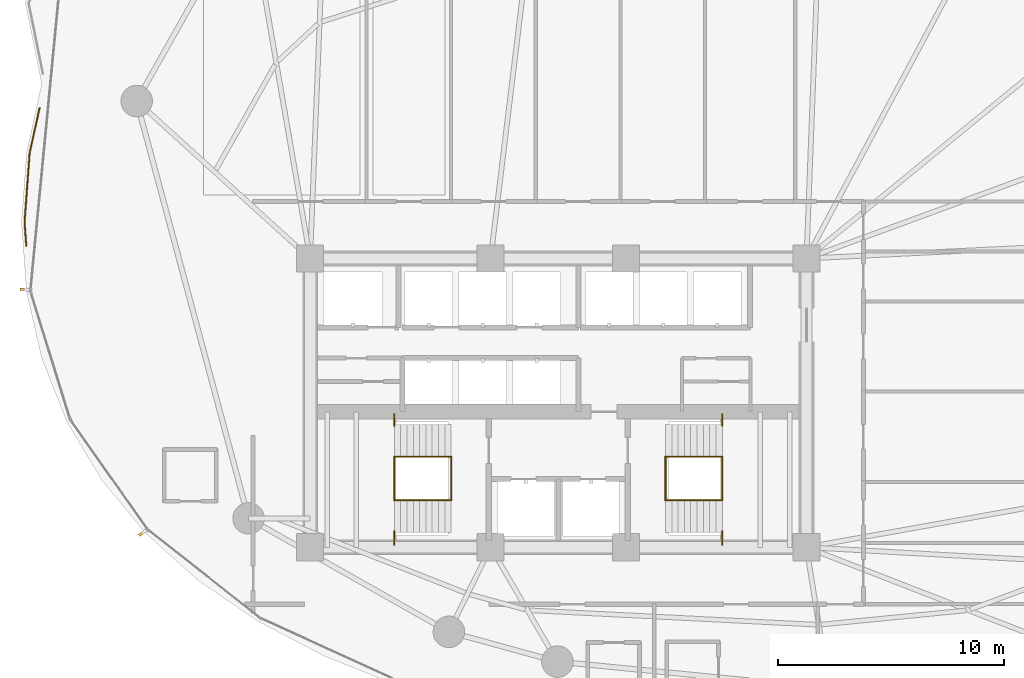
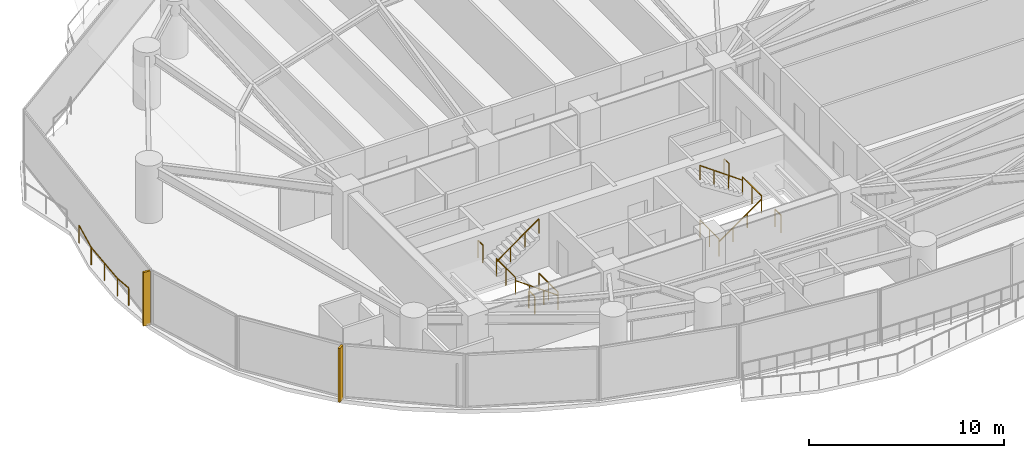
# One storey, part 30 of 32: 13 railings, 2 shading devices.
"""IFC4 building model written with IfcOpenShell, lengths in metres."""

from ifc_helpers import new_model, si_unit, direction, frame, origin, origin_2d, place, context, subcontext, project, spatial, rectangle, extrude, material, type_object, element, save


model = new_model("IFC4")

# Units and contexts
model_context = context("Model", 3, precision=1e-05, world=origin(), true_north=direction((0.0, 1.0)))
body_context = subcontext(model_context, "Body", "Model", "MODEL_VIEW")
ifc_project = project(units=[si_unit("LENGTHUNIT", "METRE"), si_unit("AREAUNIT", "SQUARE_METRE"), si_unit("VOLUMEUNIT", "CUBIC_METRE"), si_unit("PLANEANGLEUNIT", "RADIAN"), si_unit("MASSUNIT", "GRAM", prefix="KILO")], contexts=[model_context])

# Site, building, storey
site_placement = place(None, origin())
site = spatial("IfcSite", under=ifc_project, at=site_placement, CompositionType="ELEMENT")
building_placement = place(site_placement, origin())
building = spatial("IfcBuilding", under=site, at=building_placement, Name="Kazevale Care Tower and Concert Hall", CompositionType="ELEMENT")
storey_placement = place(building_placement, frame((0.0, 0.0, 42.0)))
storey = spatial("IfcBuildingStorey", under=building, at=storey_placement, Name="L10", CompositionType="ELEMENT", Elevation=42.0)

# Railings
ifc_material_1 = material(Name="Anodised Bronze Aluminium and Laminated Glass", Category="aluminium")
railing_type_1 = type_object("IfcRailingType", Name="Balcony and Terrace Balustrade 1120", PredefinedType="BALUSTRADE", material=ifc_material_1)
railing_1_placement = place(storey_placement, frame((9.416015625, 36.968017578125, 0.0)))
element("IfcRailing", 1, at=railing_1_placement, inside=storey, type_object=railing_type_1, Name="rail:L10:perim:1", PredefinedType="BALUSTRADE", context=body_context, shape_type="SweptSolid", body=[
    extrude(rectangle(XDim=0.048095703125, YDim=0.048095703125, at=origin_2d()), frame((0.0, 0.0, 1.09619140625), z_axis=(-0.073376305948, 0.997304325532, 0.0), x_axis=(-0.997304325532, -0.073376305948, 0.0)), (0.0, 0.0, 1.0), 1.03466796875),
    extrude(rectangle(XDim=0.048095703125, YDim=0.048095703125, at=origin_2d()), frame((-0.075927734375, 1.031982421875, 1.09619140625), z_axis=(0.072729345696, 0.997351714429, 0.0), x_axis=(-0.997351714429, 0.072729345696, 0.0)), (0.0, 0.0, 1.0), 3.078125),
    extrude(rectangle(XDim=0.048095703125, YDim=0.048095703125, at=origin_2d()), frame((0.14794921875, 4.10205078125, 1.09619140625), z_axis=(0.215389585979, 0.976528200439, 0.0), x_axis=(-0.976528200439, 0.215389585979, 0.0)), (0.0, 0.0, 1.0), 2.047119140625),
    extrude(rectangle(XDim=0.0419921875, YDim=0.0419921875, at=origin_2d()), origin(), (0.0, 0.0, 1.0), 1.072021484375),
    extrude(rectangle(XDim=0.0419921875, YDim=0.0419921875, at=origin_2d()), frame((-0.075927734375, 1.031982421875, 0.0)), (0.0, 0.0, 1.0), 1.072021484375),
    extrude(rectangle(XDim=0.0419921875, YDim=0.0419921875, at=origin_2d()), frame((0.0361328125, 2.56689453125, 0.0)), (0.0, 0.0, 1.0), 1.072021484375),
    extrude(rectangle(XDim=0.0419921875, YDim=0.0419921875, at=origin_2d()), frame((0.14794921875, 4.10205078125, 0.0)), (0.0, 0.0, 1.0), 1.072021484375),
    extrude(rectangle(XDim=0.0419921875, YDim=0.0419921875, at=origin_2d()), frame((0.5888671875, 6.10107421875, 0.0)), (0.0, 0.0, 1.0), 1.072021484375),
])
ifc_material_2 = material(Name="Stainless Steel 316", Category="steel")
railing_type_2 = type_object("IfcRailingType", Name="Stair Pitch Handrail 920", PredefinedType="HANDRAIL", material=ifc_material_2)
railing_2_placement = place(storey_placement, frame((28.25, 25.679931640625, 0.0)))
element("IfcRailing", 2, at=railing_2_placement, inside=storey, type_object=railing_type_2, Name="stair:L10:ST1:hr1", PredefinedType="HANDRAIL", context=body_context, shape_type="SweptSolid", body=[
    extrude(rectangle(XDim=0.048095703125, YDim=0.048095703125, at=origin_2d()), frame((0.0, 0.0, 0.89599609375), z_axis=(-0.813728144527, 0.0, 0.581245650998), x_axis=(0.0, -1.0, 0.0)), (0.0, 0.0, 1.0), 3.096923828125),
    extrude(rectangle(XDim=0.0419921875, YDim=0.0419921875, at=origin_2d()), origin(), (0.0, 0.0, 1.0), 0.871826171875),
    extrude(rectangle(XDim=0.0419921875, YDim=0.0419921875, at=origin_2d()), frame((-0.840087890625, 0.0, 0.60009765625)), (0.0, 0.0, 1.0), 0.871826171875),
    extrude(rectangle(XDim=0.0419921875, YDim=0.0419921875, at=origin_2d()), frame((-1.679931640625, 0.0, 1.199951171875)), (0.0, 0.0, 1.0), 0.871826171875),
    extrude(rectangle(XDim=0.0419921875, YDim=0.0419921875, at=origin_2d()), frame((-2.52001953125, 0.0, 1.800048828125)), (0.0, 0.0, 1.0), 0.871826171875),
])
for number, where, name in (
    (3, (25.72998046875, 27.6201171875, 1.800048828125), "stair:L10:ST1:hr2"),
    (4, (37.75, 25.679931640625, 0.0), "stair:L10:ST2:hr1"),
):
    element("IfcRailing", number, at=place(storey_placement, frame(where)), inside=storey, type_object=railing_type_2, Name=name, PredefinedType="HANDRAIL", context=body_context, shape_type="SweptSolid", body=[
        extrude(rectangle(XDim=0.048095703125, YDim=0.048095703125, at=origin_2d()), frame((0.0, 0.0, 0.89599609375), z_axis=(0.813728144527, 0.0, 0.581245650998), x_axis=(0.0, 1.0, 0.0)), (0.0, 0.0, 1.0), 3.096923828125),
        extrude(rectangle(XDim=0.0419921875, YDim=0.0419921875, at=origin_2d()), origin(), (0.0, 0.0, 1.0), 0.871826171875),
        extrude(rectangle(XDim=0.0419921875, YDim=0.0419921875, at=origin_2d()), frame((0.840087890625, 0.0, 0.60009765625)), (0.0, 0.0, 1.0), 0.871826171875),
        extrude(rectangle(XDim=0.0419921875, YDim=0.0419921875, at=origin_2d()), frame((1.679931640625, 0.0, 1.199951171875)), (0.0, 0.0, 1.0), 0.871826171875),
        extrude(rectangle(XDim=0.0419921875, YDim=0.0419921875, at=origin_2d()), frame((2.52001953125, 0.0, 1.800048828125)), (0.0, 0.0, 1.0), 0.871826171875),
    ])
railing_3_placement = place(storey_placement, frame((40.27001953125, 27.6201171875, 1.800048828125)))
element("IfcRailing", 5, at=railing_3_placement, inside=storey, type_object=railing_type_2, Name="stair:L10:ST2:hr2", PredefinedType="HANDRAIL", context=body_context, shape_type="SweptSolid", body=[
    extrude(rectangle(XDim=0.048095703125, YDim=0.048095703125, at=origin_2d()), frame((0.0, 0.0, 0.89599609375), z_axis=(-0.813728144527, 0.0, 0.581245650998), x_axis=(0.0, -1.0, 0.0)), (0.0, 0.0, 1.0), 3.096923828125),
    extrude(rectangle(XDim=0.0419921875, YDim=0.0419921875, at=origin_2d()), origin(), (0.0, 0.0, 1.0), 0.871826171875),
    extrude(rectangle(XDim=0.0419921875, YDim=0.0419921875, at=origin_2d()), frame((-0.840087890625, 0.0, 0.60009765625)), (0.0, 0.0, 1.0), 0.871826171875),
    extrude(rectangle(XDim=0.0419921875, YDim=0.0419921875, at=origin_2d()), frame((-1.679931640625, 0.0, 1.199951171875)), (0.0, 0.0, 1.0), 0.871826171875),
    extrude(rectangle(XDim=0.0419921875, YDim=0.0419921875, at=origin_2d()), frame((-2.52001953125, 0.0, 1.800048828125)), (0.0, 0.0, 1.0), 0.871826171875),
])
railing_type_3 = type_object("IfcRailingType", Name="Stair Well Guard Balustrade 1120", PredefinedType="BALUSTRADE", material=ifc_material_2)
railing_4_placement = place(storey_placement, frame((25.72998046875, 23.699951171875, 1.800048828125)))
element("IfcRailing", 6, at=railing_4_placement, inside=storey, type_object=railing_type_3, Name="stair:L10:ST1:grd_side1", PredefinedType="BALUSTRADE", context=body_context, shape_type="SweptSolid", body=[
    extrude(rectangle(XDim=0.048095703125, YDim=0.048095703125, at=origin_2d()), frame((0.0, 0.0, 1.09619140625), z_axis=(0.0, 1.0, 0.0), x_axis=(-1.0, 0.0, 0.0)), (0.0, 0.0, 1.0), 0.610107421875),
    extrude(rectangle(XDim=0.0419921875, YDim=0.0419921875, at=origin_2d()), origin(), (0.0, 0.0, 1.0), 1.072021484375),
    extrude(rectangle(XDim=0.0419921875, YDim=0.0419921875, at=origin_2d()), frame((0.0, 0.610107421875, 0.0)), (0.0, 0.0, 1.0), 1.072021484375),
])
railing_5_placement = place(storey_placement, frame((25.72998046875, 28.989990234375, 1.800048828125)))
element("IfcRailing", 7, at=railing_5_placement, inside=storey, type_object=railing_type_3, Name="stair:L10:ST1:grd_side2", PredefinedType="BALUSTRADE", context=body_context, shape_type="SweptSolid", body=[
    extrude(rectangle(XDim=0.048095703125, YDim=0.048095703125, at=origin_2d()), frame((0.0, 0.0, 1.09619140625), z_axis=(0.0, 1.0, 0.0), x_axis=(-1.0, 0.0, 0.0)), (0.0, 0.0, 1.0), 0.510009765625),
    extrude(rectangle(XDim=0.0419921875, YDim=0.0419921875, at=origin_2d()), origin(), (0.0, 0.0, 1.0), 1.072021484375),
    extrude(rectangle(XDim=0.0419921875, YDim=0.0419921875, at=origin_2d()), frame((0.0, 0.510009765625, 0.0)), (0.0, 0.0, 1.0), 1.072021484375),
])
for number, where, name in (
    (8, (25.72998046875, 25.679931640625, 1.800048828125), "stair:L10:ST1:grd_mid"),
    (9, (28.25, 25.679931640625, 0.0), "stair:L10:ST1:grd_flr"),
):
    element("IfcRailing", number, at=place(storey_placement, frame(where)), inside=storey, type_object=railing_type_3, Name=name, PredefinedType="BALUSTRADE", context=body_context, shape_type="SweptSolid", body=[
        extrude(rectangle(XDim=0.048095703125, YDim=0.048095703125, at=origin_2d()), frame((0.0, 0.0, 1.09619140625), z_axis=(0.0, 1.0, 0.0), x_axis=(-1.0, 0.0, 0.0)), (0.0, 0.0, 1.0), 1.940185546875),
        extrude(rectangle(XDim=0.0419921875, YDim=0.0419921875, at=origin_2d()), origin(), (0.0, 0.0, 1.0), 1.072021484375),
        extrude(rectangle(XDim=0.0419921875, YDim=0.0419921875, at=origin_2d()), frame((0.0, 0.97021484375, 0.0)), (0.0, 0.0, 1.0), 1.072021484375),
        extrude(rectangle(XDim=0.0419921875, YDim=0.0419921875, at=origin_2d()), frame((0.0, 1.940185546875, 0.0)), (0.0, 0.0, 1.0), 1.072021484375),
    ])
railing_6_placement = place(storey_placement, frame((40.27001953125, 23.699951171875, 1.800048828125)))
element("IfcRailing", 10, at=railing_6_placement, inside=storey, type_object=railing_type_3, Name="stair:L10:ST2:grd_side1", PredefinedType="BALUSTRADE", context=body_context, shape_type="SweptSolid", body=[
    extrude(rectangle(XDim=0.048095703125, YDim=0.048095703125, at=origin_2d()), frame((0.0, 0.0, 1.09619140625), z_axis=(0.0, 1.0, 0.0), x_axis=(-1.0, 0.0, 0.0)), (0.0, 0.0, 1.0), 0.610107421875),
    extrude(rectangle(XDim=0.0419921875, YDim=0.0419921875, at=origin_2d()), origin(), (0.0, 0.0, 1.0), 1.072021484375),
    extrude(rectangle(XDim=0.0419921875, YDim=0.0419921875, at=origin_2d()), frame((0.0, 0.610107421875, 0.0)), (0.0, 0.0, 1.0), 1.072021484375),
])
railing_7_placement = place(storey_placement, frame((40.27001953125, 28.989990234375, 1.800048828125)))
element("IfcRailing", 11, at=railing_7_placement, inside=storey, type_object=railing_type_3, Name="stair:L10:ST2:grd_side2", PredefinedType="BALUSTRADE", context=body_context, shape_type="SweptSolid", body=[
    extrude(rectangle(XDim=0.048095703125, YDim=0.048095703125, at=origin_2d()), frame((0.0, 0.0, 1.09619140625), z_axis=(0.0, 1.0, 0.0), x_axis=(-1.0, 0.0, 0.0)), (0.0, 0.0, 1.0), 0.510009765625),
    extrude(rectangle(XDim=0.0419921875, YDim=0.0419921875, at=origin_2d()), origin(), (0.0, 0.0, 1.0), 1.072021484375),
    extrude(rectangle(XDim=0.0419921875, YDim=0.0419921875, at=origin_2d()), frame((0.0, 0.510009765625, 0.0)), (0.0, 0.0, 1.0), 1.072021484375),
])
for number, where, name in (
    (12, (40.27001953125, 25.679931640625, 1.800048828125), "stair:L10:ST2:grd_mid"),
    (13, (37.75, 25.679931640625, 0.0), "stair:L10:ST2:grd_flr"),
):
    element("IfcRailing", number, at=place(storey_placement, frame(where)), inside=storey, type_object=railing_type_3, Name=name, PredefinedType="BALUSTRADE", context=body_context, shape_type="SweptSolid", body=[
        extrude(rectangle(XDim=0.048095703125, YDim=0.048095703125, at=origin_2d()), frame((0.0, 0.0, 1.09619140625), z_axis=(0.0, 1.0, 0.0), x_axis=(-1.0, 0.0, 0.0)), (0.0, 0.0, 1.0), 1.940185546875),
        extrude(rectangle(XDim=0.0419921875, YDim=0.0419921875, at=origin_2d()), origin(), (0.0, 0.0, 1.0), 1.072021484375),
        extrude(rectangle(XDim=0.0419921875, YDim=0.0419921875, at=origin_2d()), frame((0.0, 0.97021484375, 0.0)), (0.0, 0.0, 1.0), 1.072021484375),
        extrude(rectangle(XDim=0.0419921875, YDim=0.0419921875, at=origin_2d()), frame((0.0, 1.940185546875, 0.0)), (0.0, 0.0, 1.0), 1.072021484375),
    ])

# Shading devices
ifc_material_3 = material(Name="Honed Ochre Limestone", Category="masonry")
shading_device_type = type_object("IfcShadingDeviceType", Name="Vertical Honed Limestone Fin FIN-01", PredefinedType="USERDEFINED", material=ifc_material_3)
for number, where, z_axis, x_axis, name in (
    (14, (14.5693359375, 24.23779296875, 0.0), (0.0, 0.0, 1.0), (-0.817547124842, -0.575861700985, 0.0), "cw:L10:f11:fin"),
    (15, (9.3330078125, 35.0244140625, 0.0), (0.0, 0.0, 1.0), (-0.995379454967, 0.09601948047, 0.0), "cw:L10:f13:fin"),
):
    element("IfcShadingDevice", number, at=place(storey_placement, frame(where, z_axis=z_axis, x_axis=x_axis)), inside=storey, type_object=shading_device_type, Name=name, ObjectType="FIN", PredefinedType="USERDEFINED", context=body_context, shape_type="SweptSolid", body=[
        extrude(rectangle(XDim=0.3798828125, YDim=0.1201171875, at=origin_2d()), origin(), (0.0, 0.0, 1.0), 3.360107421875),
    ])

save(model, "model.ifc")
